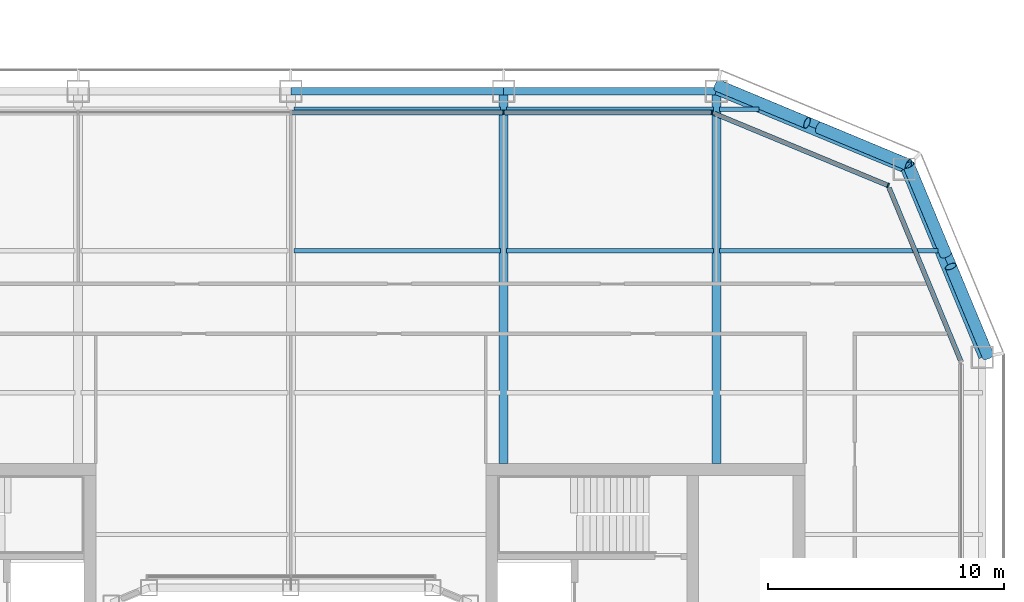
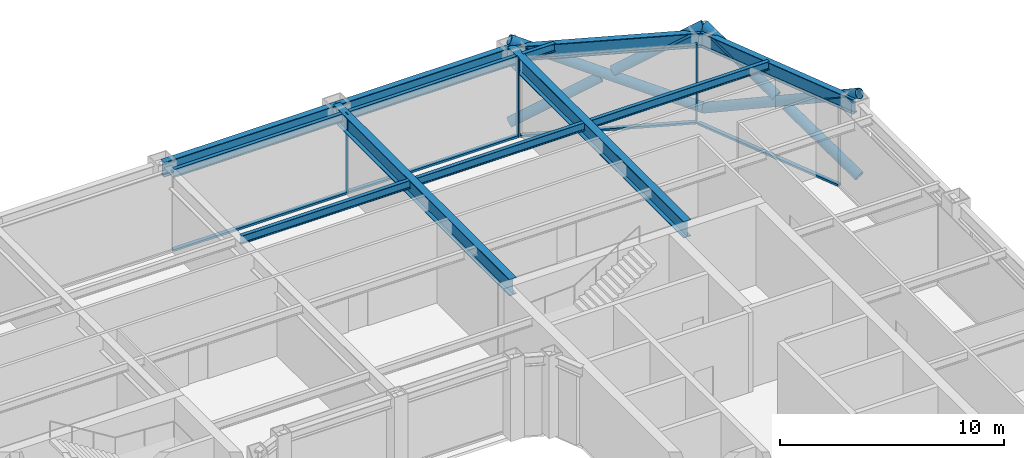
# One storey, part 9 of 23: 13 members, 12 beams, 3 elements without a shape of their own.
"""IFC4 building model written with IfcOpenShell, lengths in metres."""

from ifc_helpers import new_model, si_unit, direction, frame, origin, origin_2d, place, context, subcontext, project, spatial, rectangle, hollow_circle, i_section, extrude, material, layer, layer_set, material_profile, profile_set, type_object, element, aggregate, save


model = new_model("IFC4")

# Units and contexts
model_context = context("Model", 3, precision=1e-05, world=origin(), true_north=direction((0.0, 1.0)))
body_context = subcontext(model_context, "Body", "Model", "MODEL_VIEW")
ifc_project = project(units=[si_unit("LENGTHUNIT", "METRE"), si_unit("AREAUNIT", "SQUARE_METRE"), si_unit("VOLUMEUNIT", "CUBIC_METRE"), si_unit("PLANEANGLEUNIT", "RADIAN"), si_unit("MASSUNIT", "GRAM", prefix="KILO")], contexts=[model_context])

# Site, building, storey
site_placement = place(None, origin())
site = spatial("IfcSite", under=ifc_project, at=site_placement, CompositionType="ELEMENT")
building_placement = place(site_placement, origin())
building = spatial("IfcBuilding", under=site, at=building_placement, Name="Siwar Civic Tower", CompositionType="ELEMENT")
storey_placement = place(building_placement, frame((0.0, 0.0, 136.199951171875)))
storey = spatial("IfcBuildingStorey", under=building, at=storey_placement, Name="L29", CompositionType="ELEMENT", Elevation=136.199951171875)

# Curtain wall, member
ifc_material_1 = material(Name="Aluminium clad insulated panel", Category="aluminium")
ifc_layer_1 = layer(ifc_material_1, 0.199951171875)
ifc_layer_set_1 = layer_set([ifc_layer_1], Name="Aluminium clad insulated panel")
curtain_wall_type_1 = type_object("IfcCurtainWallType", Name="ENV-CW-BX", PredefinedType="NOTDEFINED", material=ifc_layer_set_1)
curtain_wall_1_placement = place(storey_placement, origin())
curtain_wall_1 = element("IfcCurtainWall", 1, at=curtain_wall_1_placement, inside=storey, type_object=curtain_wall_type_1, Name="Curtain wall B NE2", PredefinedType="NOTDEFINED")
ifc_material_2 = material(Name="Aluminium 6063-T6", Category="aluminium")
ifc_material_profile_1 = material_profile(ifc_material_2, rectangle(XDim=0.199951171875, YDim=0.06494140625, at=origin_2d()), Name="AL 200x65")
ifc_profile_set_1 = profile_set([ifc_material_profile_1], Name="Aluminium 6063-T6")
member_type_1 = type_object("IfcMemberType", Name="ENV-MULLION-B", PredefinedType="MULLION", material=ifc_profile_set_1)
member_1_placement = place(storey_placement, frame((25.26611328125, 25.26611328125, 0.0), z_axis=(0.0, 0.0, 1.0), x_axis=(-0.382683432365, -0.923879532511, 0.0)))
member_1 = element("IfcMember", 2, at=member_1_placement, type_object=member_type_1, Name="Mullion B NE2 1", PredefinedType="MULLION", context=body_context, shape_type="SweptSolid", body=[
    extrude(rectangle(XDim=0.199951171875, YDim=0.06494140625, at=origin_2d()), origin(), (0.0, 0.0, 1.0), 4.35009765625),
])

# Curtain wall, members
ifc_material_3 = material(Name="Aluminium and glass", Category="aluminium")
ifc_layer_2 = layer(ifc_material_3, 0.199951171875)
ifc_layer_set_2 = layer_set([ifc_layer_2], Name="Aluminium and glass")
curtain_wall_type_2 = type_object("IfcCurtainWallType", Name="ENV-CW-B", PredefinedType="NOTDEFINED", material=ifc_layer_set_2)
curtain_wall_2_placement = place(storey_placement, origin())
curtain_wall_2 = element("IfcCurtainWall", 3, at=curtain_wall_2_placement, inside=storey, type_object=curtain_wall_type_2, Name="Curtain wall B N", PredefinedType="NOTDEFINED")
member_2_placement = place(storey_placement, frame((17.821044921875, 28.35009765625, 0.0), z_axis=(0.0, 0.0, 1.0), x_axis=(0.0, -1.0, 0.0)))
member_2 = element("IfcMember", 4, at=member_2_placement, type_object=member_type_1, Name="Mullion B N 1", PredefinedType="MULLION", context=body_context, shape_type="SweptSolid", body=[
    extrude(rectangle(XDim=0.199951171875, YDim=0.06494140625, at=origin_2d()), origin(), (0.0, 0.0, 1.0), 4.35009765625),
])
member_3_placement = place(storey_placement, frame((9.0, 28.35009765625, 0.0), z_axis=(0.0, 0.0, 1.0), x_axis=(0.0, -1.0, 0.0)))
member_3 = element("IfcMember", 5, at=member_3_placement, type_object=member_type_1, Name="Mullion B N 2", PredefinedType="MULLION", context=body_context, shape_type="SweptSolid", body=[
    extrude(rectangle(XDim=0.199951171875, YDim=0.06494140625, at=origin_2d()), origin(), (0.0, 0.0, 1.0), 4.35009765625),
])

# Curtain wall, member
curtain_wall_3_placement = place(storey_placement, origin())
curtain_wall_3 = element("IfcCurtainWall", 6, at=curtain_wall_3_placement, inside=storey, type_object=curtain_wall_type_1, Name="Curtain wall B NE1", PredefinedType="NOTDEFINED")
ifc_material_4 = material(Name="Aluminium 6063-T6", Category="aluminium")
ifc_material_profile_2 = material_profile(ifc_material_4, rectangle(XDim=0.199951171875, YDim=0.110107421875, at=origin_2d()), Name="AL 200x110")
ifc_profile_set_2 = profile_set([ifc_material_profile_2], Name="Aluminium 6063-T6")
member_type_2 = type_object("IfcMemberType", Name="ENV-TRANSOM-B", PredefinedType="USERDEFINED", material=ifc_profile_set_2)
member_4_placement = place(storey_placement, frame((28.337646484375, 17.85107421875, 0.054931640625), z_axis=(-0.382699695651, 0.92387279587, 0.0), x_axis=(-0.92387279587, -0.382699695651, 0.0)))
member_4 = element("IfcMember", 7, at=member_4_placement, type_object=member_type_2, Name="Transom B NE1 1", ObjectType="TRANSOM", PredefinedType="USERDEFINED", context=body_context, shape_type="SweptSolid", body=[
    extrude(rectangle(XDim=0.199951171875, YDim=0.110107421875, at=origin_2d()), origin(), (0.0, 0.0, 1.0), 7.912353515625),
])
aggregate(curtain_wall_3, [member_4])

# Member
member_5_placement = place(storey_placement, frame((25.236083984375, 25.278564453125, 0.054931640625), z_axis=(-0.923883705044, 0.382673358825, 0.0), x_axis=(-0.382673358825, -0.923883705044, 0.0)))
member_5 = element("IfcMember", 8, at=member_5_placement, type_object=member_type_2, Name="Transom B NE2 1", ObjectType="TRANSOM", PredefinedType="USERDEFINED", context=body_context, shape_type="SweptSolid", body=[
    extrude(rectangle(XDim=0.199951171875, YDim=0.110107421875, at=origin_2d()), origin(), (0.0, 0.0, 1.0), 7.912353515625),
])

aggregate(curtain_wall_1, [member_1, member_5])

member_6_placement = place(storey_placement, frame((17.78857421875, 28.35009765625, 0.054931640625), z_axis=(-1.0, 0.0, 0.0), x_axis=(0.0, -1.0, 0.0)))
member_6 = element("IfcMember", 9, at=member_6_placement, type_object=member_type_2, Name="Transom B N 1", ObjectType="TRANSOM", PredefinedType="USERDEFINED", context=body_context, shape_type="SweptSolid", body=[
    extrude(rectangle(XDim=0.199951171875, YDim=0.110107421875, at=origin_2d()), origin(), (0.0, 0.0, 1.0), 8.756103515625),
])

member_7_placement = place(storey_placement, frame((8.967529296875, 28.35009765625, 0.054931640625), z_axis=(-1.0, 0.0, 0.0), x_axis=(0.0, -1.0, 0.0)))
member_7 = element("IfcMember", 10, at=member_7_placement, type_object=member_type_2, Name="Transom B N 2", ObjectType="TRANSOM", PredefinedType="USERDEFINED", context=body_context, shape_type="SweptSolid", body=[
    extrude(rectangle(XDim=0.199951171875, YDim=0.110107421875, at=origin_2d()), origin(), (0.0, 0.0, 1.0), 8.93505859375),
])

aggregate(curtain_wall_2, [member_2, member_3, member_6, member_7])

# Members
ifc_material_5 = material(Name="Steel S355", Category="steel")
ifc_material_profile_3 = material_profile(ifc_material_5, hollow_circle(Radius=0.25390625, WallThickness=0.02490234375, at=origin_2d()), Name="CHS508x25")
ifc_profile_set_3 = profile_set([ifc_material_profile_3], Name="Steel S355")
member_type_3 = type_object("IfcMemberType", Name="STR-BR-CHS508x25", PredefinedType="BRACE", material=ifc_profile_set_3)
member_8_placement = place(storey_placement, frame((26.1318359375, 26.1318359375, 0.0), z_axis=(-0.821142553604, 0.341671493852, 0.457149315816), x_axis=(-0.384163874976, -0.923264922524, 0.0)))
element("IfcMember", 11, at=member_8_placement, inside=storey, type_object=member_type_3, Name="L29/brc/BNE1-8-0-1", PredefinedType="BRACE", context=body_context, shape_type="SweptSolid", body=[
    extrude(hollow_circle(Radius=0.25390625, WallThickness=0.02490234375, at=origin_2d()), origin(), (0.0, 0.0, 1.0), 9.843505859375),
])
for number, where, z_axis, x_axis, name in (
    (12, (18.048828125, 29.4951171875, 0.0), (0.821126041429, -0.341677318012, 0.457174621391), (0.384176042158, 0.923259859753, 0.0), "L29/brc/BNE1-8-0-2"),
    (13, (22.342529296875, 27.70849609375, 2.390625), (0.821163134736, -0.341670737976, 0.457112910516), (0.384154943021, 0.923268638995, 0.0), "L29/brc/BNE1-8-0-3"),
):
    element("IfcMember", number, at=place(storey_placement, frame(where, z_axis=z_axis, x_axis=x_axis)), inside=storey, type_object=member_type_3, Name=name, PredefinedType="BRACE", context=body_context, shape_type="SweptSolid", body=[
        extrude(hollow_circle(Radius=0.25390625, WallThickness=0.02490234375, at=origin_2d()), origin(), (0.0, 0.0, 1.0), 4.614501953125),
    ])
member_9_placement = place(storey_placement, frame((26.1318359375, 26.1318359375, 0.0), z_axis=(0.341671493852, -0.821142553604, 0.457149315816), x_axis=(0.923264922524, 0.384163874976, 0.0)))
element("IfcMember", 14, at=member_9_placement, inside=storey, type_object=member_type_3, Name="L29/brc/BNE1-8-0-0", PredefinedType="BRACE", context=body_context, shape_type="SweptSolid", body=[
    extrude(hollow_circle(Radius=0.25390625, WallThickness=0.02490234375, at=origin_2d()), origin(), (0.0, 0.0, 1.0), 9.843505859375),
])
for number, where, z_axis, x_axis, name in (
    (15, (29.4951171875, 18.048828125, 0.0), (-0.341677318012, 0.821126041429, 0.457174621391), (-0.923259859753, -0.384176042158, 0.0), "L29/brc/BNE1-8-0-4"),
    (16, (27.70849609375, 22.342529296875, 2.390625), (-0.341670737976, 0.821163134736, 0.457112910516), (-0.923268638995, -0.384154943021, 0.0), "L29/brc/BNE1-8-0-5"),
):
    element("IfcMember", number, at=place(storey_placement, frame(where, z_axis=z_axis, x_axis=x_axis)), inside=storey, type_object=member_type_3, Name=name, PredefinedType="BRACE", context=body_context, shape_type="SweptSolid", body=[
        extrude(hollow_circle(Radius=0.25390625, WallThickness=0.02490234375, at=origin_2d()), origin(), (0.0, 0.0, 1.0), 4.614501953125),
    ])

# Beams
ifc_material_6 = material(Name="Steel S355", Category="steel")
ifc_material_profile_4 = material_profile(ifc_material_6, i_section(OverallWidth=0.18994140625, OverallDepth=0.449951171875, WebThickness=0.009521484375, FlangeThickness=0.0146484375, FilletRadius=0.02099609375, at=origin_2d()), Name="IPE450")
ifc_profile_set_4 = profile_set([ifc_material_profile_4], Name="Steel S355")
beam_type_1 = type_object("IfcBeamType", Name="STR-FB-IPE450", PredefinedType="JOIST", material=ifc_profile_set_4)
for number, where, z_axis, x_axis, name in (
    (17, (0.1298828125, 22.5, 4.125), (1.0, 0.0, 0.0), (0.0, 1.0, 0.0), "L29/bm/F040"),
    (18, (9.1298828125, 22.5, 4.125), (1.0, 0.0, 0.0), (0.0, 1.0, 0.0), "L29/bm/F041"),
):
    element("IfcBeam", number, at=place(storey_placement, frame(where, z_axis=z_axis, x_axis=x_axis)), inside=storey, type_object=beam_type_1, Name=name, PredefinedType="JOIST", context=body_context, shape_type="SweptSolid", body=[
        extrude(i_section(OverallWidth=0.18994140625, OverallDepth=0.449951171875, WebThickness=0.009521484375, FlangeThickness=0.0146484375, FilletRadius=0.02099609375, at=origin_2d()), origin(), (0.0, 0.0, 1.0), 8.740234375),
    ])
beam_1_placement = place(storey_placement, frame((18.1298828125, 22.5, 4.125), z_axis=(1.0, 0.0, 0.0), x_axis=(0.0, 1.0, 0.0)))
element("IfcBeam", 19, at=beam_1_placement, inside=storey, type_object=beam_type_1, Name="L29/bm/F042", PredefinedType="JOIST", context=body_context, shape_type="SweptSolid", body=[
    extrude(i_section(OverallWidth=0.18994140625, OverallDepth=0.449951171875, WebThickness=0.009521484375, FlangeThickness=0.0146484375, FilletRadius=0.02099609375, at=origin_2d()), origin(), (0.0, 0.0, 1.0), 9.256103515625),
])
for number, where, z_axis, x_axis, name in (
    (20, (0.1298828125, 28.5, 4.125), (1.0, 0.0, 0.0), (0.0, 1.0, 0.0), "L29/bm/F046"),
    (21, (9.1298828125, 28.5, 4.125), (1.0, 0.0, 0.0), (0.0, 1.0, 0.0), "L29/bm/F047"),
):
    element("IfcBeam", number, at=place(storey_placement, frame(where, z_axis=z_axis, x_axis=x_axis)), inside=storey, type_object=beam_type_1, Name=name, PredefinedType="JOIST", context=body_context, shape_type="SweptSolid", body=[
        extrude(i_section(OverallWidth=0.18994140625, OverallDepth=0.449951171875, WebThickness=0.009521484375, FlangeThickness=0.0146484375, FilletRadius=0.02099609375, at=origin_2d()), origin(), (0.0, 0.0, 1.0), 8.740234375),
    ])
beam_2_placement = place(storey_placement, frame((18.1298828125, 28.5, 4.125), z_axis=(1.0, 0.0, 0.0), x_axis=(0.0, 1.0, 0.0)))
element("IfcBeam", 22, at=beam_2_placement, inside=storey, type_object=beam_type_1, Name="L29/bm/F048", PredefinedType="JOIST", context=body_context, shape_type="SweptSolid", body=[
    extrude(i_section(OverallWidth=0.18994140625, OverallDepth=0.449951171875, WebThickness=0.009521484375, FlangeThickness=0.0146484375, FilletRadius=0.02099609375, at=origin_2d()), origin(), (0.0, 0.0, 1.0), 1.6806640625),
])
ifc_material_7 = material(Name="Steel S355", Category="steel")
ifc_material_profile_5 = material_profile(ifc_material_7, i_section(OverallWidth=0.3798828125, OverallDepth=0.89990234375, WebThickness=0.01611328125, FlangeThickness=0.035888671875, at=origin_2d()), Name="PG900x380x16x36")
ifc_profile_set_5 = profile_set([ifc_material_profile_5], Name="Steel S355")
beam_type_2 = type_object("IfcBeamType", Name="STR-PG-PG900x380x16x36", PredefinedType="BEAM", material=ifc_profile_set_5)
for number, where, z_axis, x_axis, name in (
    (23, (9.0, 13.5, 3.900146484375), (0.0, 1.0, 0.0), (-1.0, 0.0, 0.0), "L29/bm/G08"),
    (24, (18.0, 13.5, 3.900146484375), (0.0, 1.0, 0.0), (-1.0, 0.0, 0.0), "L29/bm/G10"),
):
    element("IfcBeam", number, at=place(storey_placement, frame(where, z_axis=z_axis, x_axis=x_axis)), inside=storey, type_object=beam_type_2, Name=name, PredefinedType="BEAM", context=body_context, shape_type="SweptSolid", body=[
        extrude(i_section(OverallWidth=0.3798828125, OverallDepth=0.89990234375, WebThickness=0.01611328125, FlangeThickness=0.035888671875, at=origin_2d()), origin(), (0.0, 0.0, 1.0), 15.75),
    ])
ifc_material_8 = material(Name="Steel S355", Category="steel")
ifc_material_profile_6 = material_profile(ifc_material_8, i_section(OverallWidth=0.300048828125, OverallDepth=0.800048828125, WebThickness=0.017578125, FlangeThickness=0.032958984375, FilletRadius=0.030029296875, at=origin_2d()), Name="HEB800")
ifc_profile_set_6 = profile_set([ifc_material_profile_6], Name="Steel S355")
beam_type_3 = type_object("IfcBeamType", Name="STR-SB-HEB800", PredefinedType="BEAM", material=ifc_profile_set_6)
for number, where, z_axis, x_axis, name in (
    (25, (29.25, 18.0, 3.949951171875), (-0.382699877515, 0.923872720536, 0.0), (-0.923872720536, -0.382699877515, 0.0), "L29/bm/SNE1-0"),
    (26, (25.954833984375, 25.954833984375, 3.949951171875), (-0.923872720536, 0.382699877515, 0.0), (-0.382699877515, -0.923872720536, 0.0), "L29/bm/SNE2-0"),
):
    element("IfcBeam", number, at=place(storey_placement, frame(where, z_axis=z_axis, x_axis=x_axis)), inside=storey, type_object=beam_type_3, Name=name, PredefinedType="BEAM", context=body_context, shape_type="SweptSolid", body=[
        extrude(i_section(OverallWidth=0.300048828125, OverallDepth=0.800048828125, WebThickness=0.017578125, FlangeThickness=0.032958984375, FilletRadius=0.030029296875, at=origin_2d()), origin(), (0.0, 0.0, 1.0), 8.6103515625),
    ])
for number, where, z_axis, x_axis, name in (
    (27, (18.0, 29.25, 3.949951171875), (-1.0, 0.0, 0.0), (0.0, -1.0, 0.0), "L29/bm/SN-0"),
    (28, (9.0, 29.25, 3.949951171875), (-1.0, 0.0, 0.0), (0.0, -1.0, 0.0), "L29/bm/SN-1"),
):
    element("IfcBeam", number, at=place(storey_placement, frame(where, z_axis=z_axis, x_axis=x_axis)), inside=storey, type_object=beam_type_3, Name=name, PredefinedType="BEAM", context=body_context, shape_type="SweptSolid", body=[
        extrude(i_section(OverallWidth=0.300048828125, OverallDepth=0.800048828125, WebThickness=0.017578125, FlangeThickness=0.032958984375, FilletRadius=0.030029296875, at=origin_2d()), origin(), (0.0, 0.0, 1.0), 9.0),
    ])

save(model, "model.ifc")
